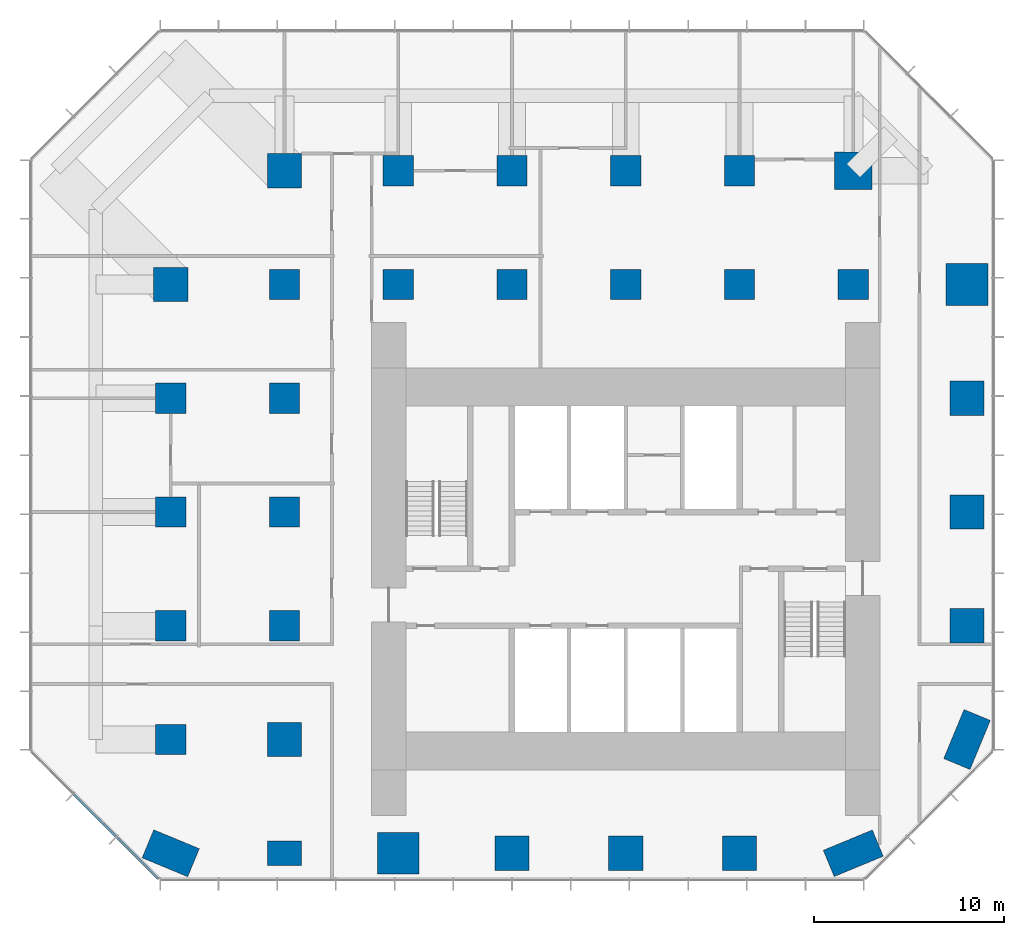
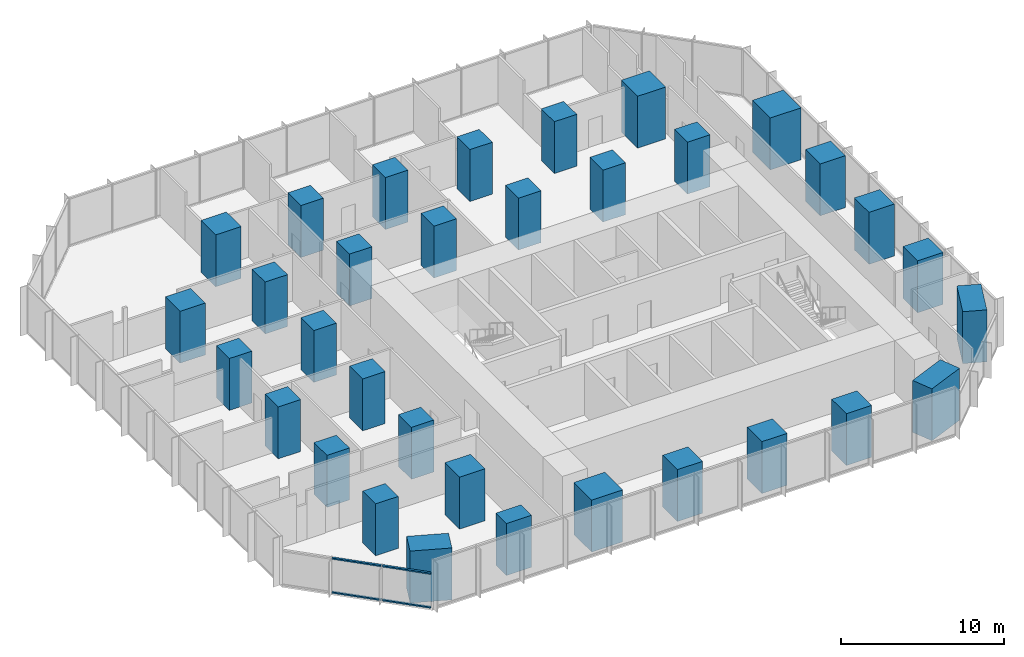
# One storey, part 1 of 11: 33 columns, 4 members, 1 element without a shape of its own.
"""IFC4 building model written with IfcOpenShell, lengths in metres."""

from ifc_helpers import new_model, si_unit, direction, frame, origin, origin_2d, place, context, subcontext, project, spatial, rectangle, extrude, material, layer, layer_set, material_profile, profile_set, type_object, element, aggregate, save


model = new_model("IFC4")

# Units and contexts
model_context = context("Model", 3, precision=1e-05, world=origin(), true_north=direction((0.0, 1.0)))
body_context = subcontext(model_context, "Body", "Model", "MODEL_VIEW")
ifc_project = project(units=[si_unit("LENGTHUNIT", "METRE"), si_unit("AREAUNIT", "SQUARE_METRE"), si_unit("VOLUMEUNIT", "CUBIC_METRE"), si_unit("PLANEANGLEUNIT", "RADIAN"), si_unit("MASSUNIT", "GRAM", prefix="KILO")], contexts=[model_context])

# Site, building, storey
site_placement = place(None, origin())
site = spatial("IfcSite", under=ifc_project, at=site_placement, CompositionType="ELEMENT")
building_placement = place(site_placement, origin())
building = spatial("IfcBuilding", under=site, at=building_placement, Name="Highveld Stack Headquarters", CompositionType="ELEMENT")
storey_placement = place(building_placement, frame((0.0, 0.0, 113.300048828125)))
storey = spatial("IfcBuildingStorey", under=building, at=storey_placement, Name="L27", CompositionType="ELEMENT", Elevation=113.300048828125)

# Columns
ifc_material_1 = material(Name="Concrete C60/75", Category="concrete")
ifc_material_profile_1 = material_profile(ifc_material_1, rectangle(XDim=1.60009765625, YDim=1.60009765625, at=origin_2d()), Name="RC 1600x1600")
ifc_profile_set_1 = profile_set([ifc_material_profile_1], Name="Concrete C60/75")
column_type_1 = type_object("IfcColumnType", Name="COLUMN RC 1600x1600 C60/75", PredefinedType="COLUMN", material=ifc_profile_set_1)
for number, where, z_axis, x_axis, name in (
    (1, (-18.0, -6.0, 0.0), (0.0, 0.0, 1.0), (1.0, 0.0, 0.0), "Column 3/D L27"),
    (2, (-18.0, 0.0, 0.0), (0.0, 0.0, 1.0), (1.0, 0.0, 0.0), "Column 3/E L27"),
    (3, (-18.0, 6.0, 0.0), (0.0, 0.0, 1.0), (1.0, 0.0, 0.0), "Column 3/F L27"),
    (4, (-18.0, 12.0, 0.0), (0.0, 0.0, 1.0), (1.0, 0.0, 0.0), "Column 3/G L27"),
    (5, (-12.0, 0.0, 0.0), (0.0, 0.0, 1.0), (1.0, 0.0, 0.0), "Column 4/E L27"),
    (6, (-12.0, 6.0, 0.0), (0.0, 0.0, 1.0), (1.0, 0.0, 0.0), "Column 4/F L27"),
    (7, (-12.0, 12.0, 0.0), (0.0, 0.0, 1.0), (1.0, 0.0, 0.0), "Column 4/G L27"),
    (8, (-12.0, 18.0, 0.0), (0.0, 0.0, 1.0), (1.0, 0.0, 0.0), "Column 4/H L27"),
    (9, (-6.0, 18.0, 0.0), (0.0, 0.0, 1.0), (1.0, 0.0, 0.0), "Column 5/H L27"),
    (10, (-6.0, 24.0, 0.0), (0.0, 0.0, 1.0), (1.0, 0.0, 0.0), "Column 5/J L27"),
    (11, (0.0, 18.0, 0.0), (0.0, 0.0, 1.0), (1.0, 0.0, 0.0), "Column 6/H L27"),
    (12, (0.0, 24.0, 0.0), (0.0, 0.0, 1.0), (1.0, 0.0, 0.0), "Column 6/J L27"),
    (13, (6.0, 18.0, 0.0), (0.0, 0.0, 1.0), (1.0, 0.0, 0.0), "Column 7/H L27"),
    (14, (6.0, 24.0, 0.0), (0.0, 0.0, 1.0), (1.0, 0.0, 0.0), "Column 7/J L27"),
    (15, (12.0, 18.0, 0.0), (0.0, 0.0, 1.0), (1.0, 0.0, 0.0), "Column 8/H L27"),
    (16, (12.0, 24.0, 0.0), (0.0, 0.0, 1.0), (1.0, 0.0, 0.0), "Column 8/J L27"),
    (17, (18.0, 18.0, 0.0), (0.0, 0.0, 1.0), (1.0, 0.0, 0.0), "Column 9/H L27"),
):
    element("IfcColumn", number, at=place(storey_placement, frame(where, z_axis=z_axis, x_axis=x_axis)), inside=storey, type_object=column_type_1, Name=name, PredefinedType="COLUMN", context=body_context, shape_type="SweptSolid", body=[
        extrude(rectangle(XDim=1.60009765625, YDim=1.60009765625, at=origin_2d()), origin(), (0.0, 0.0, 1.0), 3.89990234375),
    ])
ifc_material_2 = material(Name="Concrete C60/75", Category="concrete")
ifc_material_profile_2 = material_profile(ifc_material_2, rectangle(XDim=1.800048828125, YDim=1.300048828125, at=origin_2d()), Name="RC 1800x1300")
ifc_profile_set_2 = profile_set([ifc_material_profile_2], Name="Concrete C60/75")
column_type_2 = type_object("IfcColumnType", Name="COLUMN RC 1800x1300 C60/75", PredefinedType="COLUMN", material=ifc_profile_set_2)
column_1_placement = place(storey_placement, frame((-12.0, -12.0, 0.0), z_axis=(0.0, 0.0, 1.0), x_axis=(1.0, 0.0, 0.0)))
element("IfcColumn", 18, at=column_1_placement, inside=storey, type_object=column_type_2, Name="Column 4/C L27", PredefinedType="COLUMN", context=body_context, shape_type="SweptSolid", body=[
    extrude(rectangle(XDim=1.800048828125, YDim=1.300048828125, at=origin_2d()), origin(), (0.0, 0.0, 1.0), 3.89990234375),
])
ifc_material_3 = material(Name="Concrete C60/75", Category="concrete")
ifc_material_profile_3 = material_profile(ifc_material_3, rectangle(XDim=1.800048828125, YDim=1.800048828125, at=origin_2d()), Name="RC 1800x1800")
ifc_profile_set_3 = profile_set([ifc_material_profile_3], Name="Concrete C60/75")
column_type_3 = type_object("IfcColumnType", Name="COLUMN RC 1800x1800 C60/75", PredefinedType="COLUMN", material=ifc_profile_set_3)
for number, where, z_axis, x_axis, name in (
    (19, (-18.0, 18.0, 0.0), (0.0, 0.0, 1.0), (1.0, 0.0, 0.0), "Column 3/H L27"),
    (20, (-12.0, -6.0, 0.0), (0.0, 0.0, 1.0), (1.0, 0.0, 0.0), "Column 4/D L27"),
    (21, (-12.0, 24.0, 0.0), (0.0, 0.0, 1.0), (1.0, 0.0, 0.0), "Column 4/J L27"),
    (22, (0.0, -12.0, 0.0), (0.0, 0.0, 1.0), (1.0, 0.0, 0.0), "Column 6/C L27"),
    (23, (6.0, -12.0, 0.0), (0.0, 0.0, 1.0), (1.0, 0.0, 0.0), "Column 7/C L27"),
    (24, (12.0, -12.0, 0.0), (0.0, 0.0, 1.0), (1.0, 0.0, 0.0), "Column 8/C L27"),
    (25, (24.0, 0.0, 0.0), (0.0, 0.0, 1.0), (1.0, 0.0, 0.0), "Column 10/E L27"),
    (26, (24.0, 6.0, 0.0), (0.0, 0.0, 1.0), (1.0, 0.0, 0.0), "Column 10/F L27"),
    (27, (24.0, 12.0, 0.0), (0.0, 0.0, 1.0), (1.0, 0.0, 0.0), "Column 10/G L27"),
):
    element("IfcColumn", number, at=place(storey_placement, frame(where, z_axis=z_axis, x_axis=x_axis)), inside=storey, type_object=column_type_3, Name=name, PredefinedType="COLUMN", context=body_context, shape_type="SweptSolid", body=[
        extrude(rectangle(XDim=1.800048828125, YDim=1.800048828125, at=origin_2d()), origin(), (0.0, 0.0, 1.0), 3.89990234375),
    ])
ifc_material_4 = material(Name="Concrete C60/75", Category="concrete")
ifc_material_profile_4 = material_profile(ifc_material_4, rectangle(XDim=2.0, YDim=2.0, at=origin_2d()), Name="RC 2000x2000")
ifc_profile_set_4 = profile_set([ifc_material_profile_4], Name="Concrete C60/75")
column_type_4 = type_object("IfcColumnType", Name="COLUMN RC 2000x2000 C60/75", PredefinedType="COLUMN", material=ifc_profile_set_4)
column_2_placement = place(storey_placement, frame((18.0, 24.0, 0.0), z_axis=(0.0, 0.0, 1.0), x_axis=(1.0, 0.0, 0.0)))
element("IfcColumn", 28, at=column_2_placement, inside=storey, type_object=column_type_4, Name="Column 9/J L27", PredefinedType="COLUMN", context=body_context, shape_type="SweptSolid", body=[
    extrude(rectangle(XDim=2.0, YDim=2.0, at=origin_2d()), origin(), (0.0, 0.0, 1.0), 3.89990234375),
])
ifc_material_5 = material(Name="Concrete C60/75", Category="concrete")
ifc_material_profile_5 = material_profile(ifc_material_5, rectangle(XDim=2.199951171875, YDim=2.199951171875, at=origin_2d()), Name="RC 2200x2200")
ifc_profile_set_5 = profile_set([ifc_material_profile_5], Name="Concrete C60/75")
column_type_5 = type_object("IfcColumnType", Name="COLUMN RC 2200x2200 C60/75", PredefinedType="COLUMN", material=ifc_profile_set_5)
for number, where, z_axis, x_axis, name in (
    (29, (-6.0, -12.0, 0.0), (0.0, 0.0, 1.0), (1.0, 0.0, 0.0), "Column 5/C L27"),
    (30, (24.0, 18.0, 0.0), (0.0, 0.0, 1.0), (1.0, 0.0, 0.0), "Column 10/H L27"),
):
    element("IfcColumn", number, at=place(storey_placement, frame(where, z_axis=z_axis, x_axis=x_axis)), inside=storey, type_object=column_type_5, Name=name, PredefinedType="COLUMN", context=body_context, shape_type="SweptSolid", body=[
        extrude(rectangle(XDim=2.199951171875, YDim=2.199951171875, at=origin_2d()), origin(), (0.0, 0.0, 1.0), 3.89990234375),
    ])
ifc_material_6 = material(Name="Concrete C60/75", Category="concrete")
ifc_material_profile_6 = material_profile(ifc_material_6, rectangle(XDim=2.60009765625, YDim=1.60009765625, at=origin_2d()), Name="RC 2600x1600")
ifc_profile_set_6 = profile_set([ifc_material_profile_6], Name="Concrete C60/75")
column_type_6 = type_object("IfcColumnType", Name="COLUMN RC 2600x1600 C60/75", PredefinedType="COLUMN", material=ifc_profile_set_6)
column_3_placement = place(storey_placement, frame((-18.0, -12.0, 0.0), z_axis=(0.0, 0.0, 1.0), x_axis=(-0.923879532511, 0.382683432365, 0.0)))
element("IfcColumn", 31, at=column_3_placement, inside=storey, type_object=column_type_6, Name="Column 3/C L27", PredefinedType="COLUMN", context=body_context, shape_type="SweptSolid", body=[
    extrude(rectangle(XDim=2.60009765625, YDim=1.60009765625, at=origin_2d()), origin(), (0.0, 0.0, 1.0), 3.89990234375),
])
ifc_material_7 = material(Name="Concrete C60/75", Category="concrete")
ifc_material_profile_7 = material_profile(ifc_material_7, rectangle(XDim=2.800048828125, YDim=1.5, at=origin_2d()), Name="RC 2800x1500")
ifc_profile_set_7 = profile_set([ifc_material_profile_7], Name="Concrete C60/75")
column_type_7 = type_object("IfcColumnType", Name="COLUMN RC 2800x1500 C60/75", PredefinedType="COLUMN", material=ifc_profile_set_7)
for number, where, z_axis, x_axis, name in (
    (32, (18.0, -12.0, 0.0), (0.0, 0.0, 1.0), (-0.923879532511, -0.382683432365, 0.0), "Column 9/C L27"),
    (33, (24.0, -6.0, 0.0), (0.0, 0.0, 1.0), (-0.382683432365, -0.923879532511, 0.0), "Column 10/D L27"),
):
    element("IfcColumn", number, at=place(storey_placement, frame(where, z_axis=z_axis, x_axis=x_axis)), inside=storey, type_object=column_type_7, Name=name, PredefinedType="COLUMN", context=body_context, shape_type="SweptSolid", body=[
        extrude(rectangle(XDim=2.800048828125, YDim=1.5, at=origin_2d()), origin(), (0.0, 0.0, 1.0), 3.89990234375),
    ])

# Curtain wall, members
ifc_material_8 = material(Name="Aluminium bronze anodised", Category="aluminium")
ifc_layer = layer(ifc_material_8, 0.199951171875)
ifc_layer_set = layer_set([ifc_layer], Name="Aluminium bronze anodised")
curtain_wall_type = type_object("IfcCurtainWallType", Name="CW2 TOWER CHAMFER UNITISED CURTAIN WALL", PredefinedType="NOTDEFINED", material=ifc_layer_set)
curtain_wall_placement = place(storey_placement, origin())
curtain_wall = element("IfcCurtainWall", 34, at=curtain_wall_placement, inside=storey, type_object=curtain_wall_type, Name="Curtain wall CW2 L27 SW", PredefinedType="NOTDEFINED")
ifc_material_9 = material(Name="Aluminium bronze anodised", Category="aluminium")
ifc_material_profile_8 = material_profile(ifc_material_9, rectangle(XDim=0.14990234375, YDim=0.10009765625, at=origin_2d()), Name="CW2 TRANSOM 150x100")
ifc_profile_set_8 = profile_set([ifc_material_profile_8], Name="Aluminium bronze anodised")
member_type = type_object("IfcMemberType", Name="CW2 STACK TRANSOM 150x100", PredefinedType="USERDEFINED", material=ifc_profile_set_8)
member_1_placement = place(storey_placement, frame((-23.103759765625, -8.876220703125, 0.050048828125), z_axis=(0.707106781187, -0.707106781187, 0.0), x_axis=(0.707106781187, 0.707106781187, 0.0)))
member_1 = element("IfcMember", 35, at=member_1_placement, type_object=member_type, Name="CW2 transom L27 2.1", ObjectType="TRANSOM", PredefinedType="USERDEFINED", context=body_context, shape_type="SweptSolid", body=[
    extrude(rectangle(XDim=0.14990234375, YDim=0.10009765625, at=origin_2d()), origin(), (0.0, 0.0, 1.0), 3.150146484375),
])
member_2_placement = place(storey_placement, frame((-23.103759765625, -8.876220703125, 2.599853515625), z_axis=(0.707106781187, -0.707106781187, 0.0), x_axis=(0.707106781187, 0.707106781187, 0.0)))
member_2 = element("IfcMember", 36, at=member_2_placement, type_object=member_type, Name="CW2 transom L27 2.2", ObjectType="TRANSOM", PredefinedType="USERDEFINED", context=body_context, shape_type="SweptSolid", body=[
    extrude(rectangle(XDim=0.14990234375, YDim=0.10009765625, at=origin_2d()), origin(), (0.0, 0.0, 1.0), 3.150146484375),
])
member_3_placement = place(storey_placement, frame((-20.830322265625, -11.149658203125, 0.050048828125), z_axis=(0.707106781187, -0.707106781187, 0.0), x_axis=(0.707106781187, 0.707106781187, 0.0)))
member_3 = element("IfcMember", 37, at=member_3_placement, type_object=member_type, Name="CW2 transom L27 3.1", ObjectType="TRANSOM", PredefinedType="USERDEFINED", context=body_context, shape_type="SweptSolid", body=[
    extrude(rectangle(XDim=0.14990234375, YDim=0.10009765625, at=origin_2d()), origin(), (0.0, 0.0, 1.0), 3.08251953125),
])
member_4_placement = place(storey_placement, frame((-20.830322265625, -11.149658203125, 2.599853515625), z_axis=(0.707106781187, -0.707106781187, 0.0), x_axis=(0.707106781187, 0.707106781187, 0.0)))
member_4 = element("IfcMember", 38, at=member_4_placement, type_object=member_type, Name="CW2 transom L27 3.2", ObjectType="TRANSOM", PredefinedType="USERDEFINED", context=body_context, shape_type="SweptSolid", body=[
    extrude(rectangle(XDim=0.14990234375, YDim=0.10009765625, at=origin_2d()), origin(), (0.0, 0.0, 1.0), 3.08251953125),
])
aggregate(curtain_wall, [member_1, member_2, member_3, member_4])

save(model, "model.ifc")
